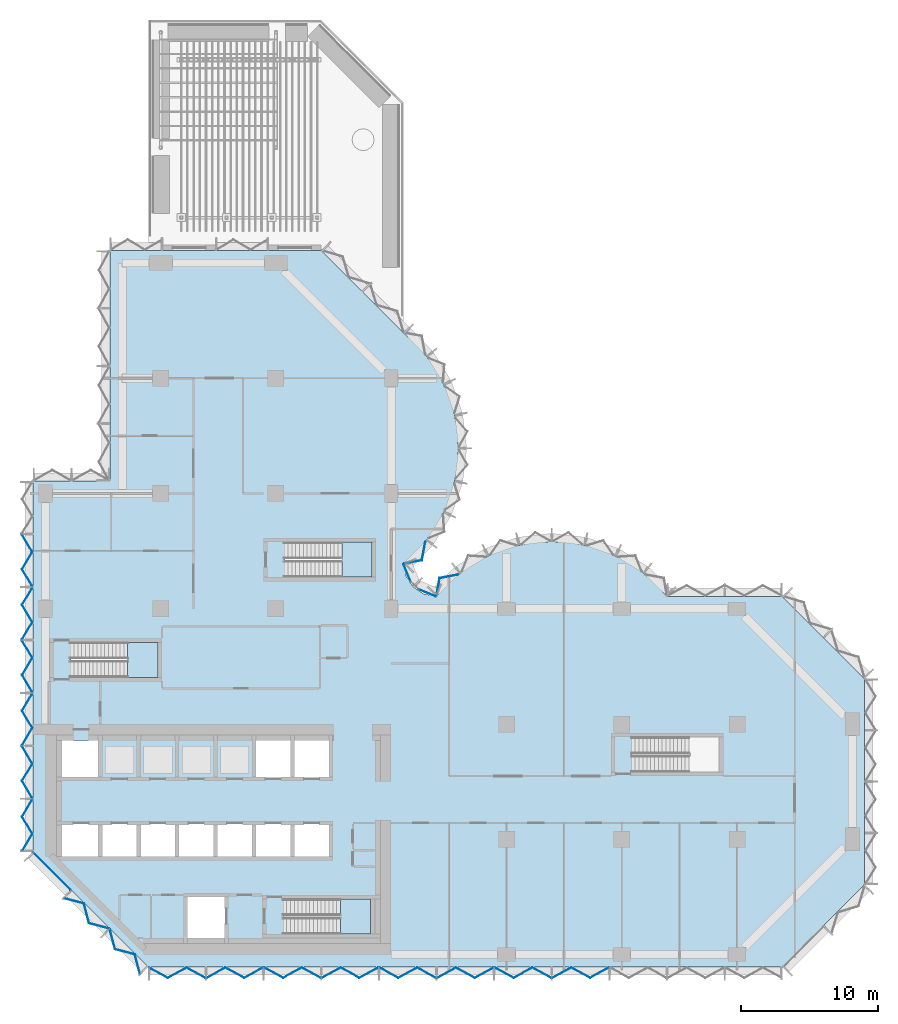
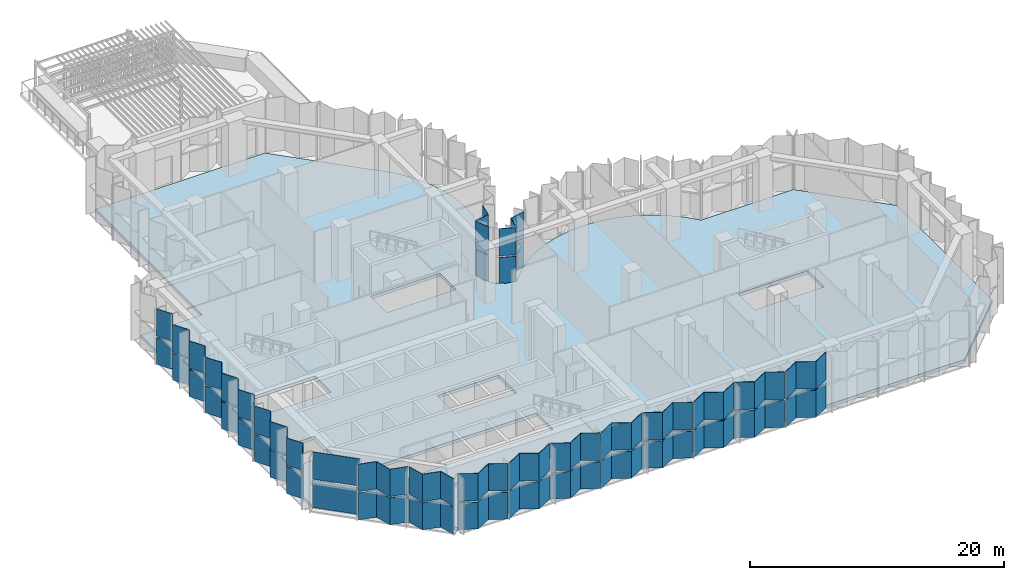
# One storey, part 5 of 15: 42 plates, 4 slabs, 9 elements without a shape of their own.
"""IFC4 building model written with IfcOpenShell, lengths in metres."""

from ifc_helpers import new_model, si_unit, direction, frame, origin, place, context, subcontext, project, spatial, polyline, outline, extrude, material, layer, layer_set, type_object, element, aggregate, save


model = new_model("IFC4")

# Units and contexts
model_context = context("Model", 3, precision=1e-05, world=origin(), true_north=direction((0.0, 1.0)))
body_context = subcontext(model_context, "Body", "Model", "MODEL_VIEW")
ifc_project = project(units=[si_unit("LENGTHUNIT", "METRE"), si_unit("AREAUNIT", "SQUARE_METRE"), si_unit("VOLUMEUNIT", "CUBIC_METRE"), si_unit("PLANEANGLEUNIT", "RADIAN"), si_unit("MASSUNIT", "GRAM", prefix="KILO")], contexts=[model_context])

# Site, building, storey
site_placement = place(None, origin())
site = spatial("IfcSite", under=ifc_project, at=site_placement, CompositionType="ELEMENT")
building_placement = place(site_placement, origin())
building = spatial("IfcBuilding", under=site, at=building_placement, Name="Brevane Broadcast Tower", CompositionType="ELEMENT")
storey_placement = place(building_placement, frame((0.0, 0.0, 156.5)))
storey = spatial("IfcBuildingStorey", under=building, at=storey_placement, Name="L39", CompositionType="ELEMENT", Elevation=156.5)

# Curtain wall, plates
ifc_material_1 = material(Name="Aluminium 6063-T6 bronze anodised", Category="aluminium")
curtain_wall_type = type_object("IfcCurtainWallType", Name="CW-4 curtain wall", PredefinedType="NOTDEFINED", material=ifc_material_1)
curtain_wall_1_placement = place(storey_placement, origin())
curtain_wall_1 = element("IfcCurtainWall", 1, at=curtain_wall_1_placement, inside=storey, type_object=curtain_wall_type, Name="CW-4 sky lobby unit L39 south face", PredefinedType="NOTDEFINED")
ifc_material_2 = material(Name="Laminated glass bronze-tinted", Category="glass")
ifc_layer_1 = layer(ifc_material_2, 0.0400390625)
ifc_layer_set_1 = layer_set([ifc_layer_1], Name="CW glass panel 40")
plate_type = type_object("IfcPlateType", Name="CW glass panel 40", PredefinedType="CURTAIN_PANEL", material=ifc_layer_set_1)
plate_1_placement = place(storey_placement, frame((0.0, 0.0, -0.159912109375)))
plate_1 = element("IfcPlate", 2, at=plate_1_placement, type_object=plate_type, Name="CW-4 glass panel", PredefinedType="CURTAIN_PANEL", context=body_context, shape_type="SweptSolid", body=[
    extrude(outline(polyline([(7.550048828125, -0.92724609375), (7.550048828125, -0.972900390625), (8.916748046875, -1.71728515625), (10.283203125, -0.972900390625), (11.64990234375, -1.71728515625), (11.64990234375, -1.671630859375), (10.283203125, -0.92724609375), (8.916748046875, -1.671630859375), (7.550048828125, -0.92724609375)])), origin(), (0.0, 0.0, 1.0), 2.58984375),
])
plate_2_placement = place(storey_placement, frame((0.0, 0.0, 2.570068359375)))
plate_2 = element("IfcPlate", 3, at=plate_2_placement, type_object=plate_type, Name="CW-4 glass panel", PredefinedType="CURTAIN_PANEL", context=body_context, shape_type="SweptSolid", body=[
    extrude(outline(polyline([(7.550048828125, -0.92724609375), (7.550048828125, -0.972900390625), (8.916748046875, -1.71728515625), (10.283203125, -0.972900390625), (11.64990234375, -1.71728515625), (11.64990234375, -1.671630859375), (10.283203125, -0.92724609375), (8.916748046875, -1.671630859375), (7.550048828125, -0.92724609375)])), origin(), (0.0, 0.0, 1.0), 2.6298828125),
])
plate_3_placement = place(storey_placement, frame((0.0, 0.0, -0.159912109375)))
plate_3 = element("IfcPlate", 4, at=plate_3_placement, type_object=plate_type, Name="CW-4 glass panel", PredefinedType="CURTAIN_PANEL", context=body_context, shape_type="SweptSolid", body=[
    extrude(outline(polyline([(11.75, -1.671630859375), (11.75, -1.71728515625), (13.11669921875, -0.972900390625), (14.4833984375, -1.71728515625), (15.85009765625, -0.972900390625), (15.85009765625, -0.92724609375), (14.4833984375, -1.671630859375), (13.11669921875, -0.92724609375), (11.75, -1.671630859375)])), origin(), (0.0, 0.0, 1.0), 2.58984375),
])
plate_4_placement = place(storey_placement, frame((0.0, 0.0, 2.570068359375)))
plate_4 = element("IfcPlate", 5, at=plate_4_placement, type_object=plate_type, Name="CW-4 glass panel", PredefinedType="CURTAIN_PANEL", context=body_context, shape_type="SweptSolid", body=[
    extrude(outline(polyline([(11.75, -1.671630859375), (11.75, -1.71728515625), (13.11669921875, -0.972900390625), (14.4833984375, -1.71728515625), (15.85009765625, -0.972900390625), (15.85009765625, -0.92724609375), (14.4833984375, -1.671630859375), (13.11669921875, -0.92724609375), (11.75, -1.671630859375)])), origin(), (0.0, 0.0, 1.0), 2.6298828125),
])
plate_5_placement = place(storey_placement, frame((0.0, 0.0, -0.159912109375)))
plate_5 = element("IfcPlate", 6, at=plate_5_placement, type_object=plate_type, Name="CW-4 glass panel", PredefinedType="CURTAIN_PANEL", context=body_context, shape_type="SweptSolid", body=[
    extrude(outline(polyline([(15.949951171875, -0.92724609375), (15.949951171875, -0.972900390625), (17.316650390625, -1.71728515625), (18.683349609375, -0.972900390625), (20.050048828125, -1.71728515625), (20.050048828125, -1.671630859375), (18.683349609375, -0.92724609375), (17.316650390625, -1.671630859375), (15.949951171875, -0.92724609375)])), origin(), (0.0, 0.0, 1.0), 2.58984375),
])
plate_6_placement = place(storey_placement, frame((0.0, 0.0, 2.570068359375)))
plate_6 = element("IfcPlate", 7, at=plate_6_placement, type_object=plate_type, Name="CW-4 glass panel", PredefinedType="CURTAIN_PANEL", context=body_context, shape_type="SweptSolid", body=[
    extrude(outline(polyline([(15.949951171875, -0.92724609375), (15.949951171875, -0.972900390625), (17.316650390625, -1.71728515625), (18.683349609375, -0.972900390625), (20.050048828125, -1.71728515625), (20.050048828125, -1.671630859375), (18.683349609375, -0.92724609375), (17.316650390625, -1.671630859375), (15.949951171875, -0.92724609375)])), origin(), (0.0, 0.0, 1.0), 2.6298828125),
])
plate_7_placement = place(storey_placement, frame((0.0, 0.0, -0.159912109375)))
plate_7 = element("IfcPlate", 8, at=plate_7_placement, type_object=plate_type, Name="CW-4 glass panel", PredefinedType="CURTAIN_PANEL", context=body_context, shape_type="SweptSolid", body=[
    extrude(outline(polyline([(20.14990234375, -1.671630859375), (20.14990234375, -1.71728515625), (21.5166015625, -0.972900390625), (22.88330078125, -1.71728515625), (24.25, -0.972900390625), (24.25, -0.92724609375), (22.88330078125, -1.671630859375), (21.5166015625, -0.92724609375), (20.14990234375, -1.671630859375)])), origin(), (0.0, 0.0, 1.0), 2.58984375),
])
plate_8_placement = place(storey_placement, frame((0.0, 0.0, 2.570068359375)))
plate_8 = element("IfcPlate", 9, at=plate_8_placement, type_object=plate_type, Name="CW-4 glass panel", PredefinedType="CURTAIN_PANEL", context=body_context, shape_type="SweptSolid", body=[
    extrude(outline(polyline([(20.14990234375, -1.671630859375), (20.14990234375, -1.71728515625), (21.5166015625, -0.972900390625), (22.88330078125, -1.71728515625), (24.25, -0.972900390625), (24.25, -0.92724609375), (22.88330078125, -1.671630859375), (21.5166015625, -0.92724609375), (20.14990234375, -1.671630859375)])), origin(), (0.0, 0.0, 1.0), 2.6298828125),
])
plate_9_placement = place(storey_placement, frame((0.0, 0.0, -0.159912109375)))
plate_9 = element("IfcPlate", 10, at=plate_9_placement, type_object=plate_type, Name="CW-4 glass panel", PredefinedType="CURTAIN_PANEL", context=body_context, shape_type="SweptSolid", body=[
    extrude(outline(polyline([(24.35009765625, -0.92724609375), (24.35009765625, -0.972900390625), (25.716796875, -1.71728515625), (27.083251953125, -0.972900390625), (28.449951171875, -1.71728515625), (28.449951171875, -1.671630859375), (27.083251953125, -0.92724609375), (25.716796875, -1.671630859375), (24.35009765625, -0.92724609375)])), origin(), (0.0, 0.0, 1.0), 2.58984375),
])
plate_10_placement = place(storey_placement, frame((0.0, 0.0, 2.570068359375)))
plate_10 = element("IfcPlate", 11, at=plate_10_placement, type_object=plate_type, Name="CW-4 glass panel", PredefinedType="CURTAIN_PANEL", context=body_context, shape_type="SweptSolid", body=[
    extrude(outline(polyline([(24.35009765625, -0.92724609375), (24.35009765625, -0.972900390625), (25.716796875, -1.71728515625), (27.083251953125, -0.972900390625), (28.449951171875, -1.71728515625), (28.449951171875, -1.671630859375), (27.083251953125, -0.92724609375), (25.716796875, -1.671630859375), (24.35009765625, -0.92724609375)])), origin(), (0.0, 0.0, 1.0), 2.6298828125),
])
plate_11_placement = place(storey_placement, frame((0.0, 0.0, -0.159912109375)))
plate_11 = element("IfcPlate", 12, at=plate_11_placement, type_object=plate_type, Name="CW-4 glass panel", PredefinedType="CURTAIN_PANEL", context=body_context, shape_type="SweptSolid", body=[
    extrude(outline(polyline([(28.550048828125, -1.671630859375), (28.550048828125, -1.71728515625), (29.916748046875, -0.972900390625), (31.283203125, -1.71728515625), (32.64990234375, -0.972900390625), (32.64990234375, -0.92724609375), (31.283203125, -1.671630859375), (29.916748046875, -0.92724609375), (28.550048828125, -1.671630859375)])), origin(), (0.0, 0.0, 1.0), 2.58984375),
])
plate_12_placement = place(storey_placement, frame((0.0, 0.0, 2.570068359375)))
plate_12 = element("IfcPlate", 13, at=plate_12_placement, type_object=plate_type, Name="CW-4 glass panel", PredefinedType="CURTAIN_PANEL", context=body_context, shape_type="SweptSolid", body=[
    extrude(outline(polyline([(28.550048828125, -1.671630859375), (28.550048828125, -1.71728515625), (29.916748046875, -0.972900390625), (31.283203125, -1.71728515625), (32.64990234375, -0.972900390625), (32.64990234375, -0.92724609375), (31.283203125, -1.671630859375), (29.916748046875, -0.92724609375), (28.550048828125, -1.671630859375)])), origin(), (0.0, 0.0, 1.0), 2.6298828125),
])
plate_13_placement = place(storey_placement, frame((0.0, 0.0, -0.159912109375)))
plate_13 = element("IfcPlate", 14, at=plate_13_placement, type_object=plate_type, Name="CW-4 glass panel", PredefinedType="CURTAIN_PANEL", context=body_context, shape_type="SweptSolid", body=[
    extrude(outline(polyline([(32.75, -0.92724609375), (32.75, -0.972900390625), (34.11669921875, -1.71728515625), (35.4833984375, -0.972900390625), (36.85009765625, -1.71728515625), (36.85009765625, -1.671630859375), (35.4833984375, -0.92724609375), (34.11669921875, -1.671630859375), (32.75, -0.92724609375)])), origin(), (0.0, 0.0, 1.0), 2.58984375),
])
plate_14_placement = place(storey_placement, frame((0.0, 0.0, 2.570068359375)))
plate_14 = element("IfcPlate", 15, at=plate_14_placement, type_object=plate_type, Name="CW-4 glass panel", PredefinedType="CURTAIN_PANEL", context=body_context, shape_type="SweptSolid", body=[
    extrude(outline(polyline([(32.75, -0.92724609375), (32.75, -0.972900390625), (34.11669921875, -1.71728515625), (35.4833984375, -0.972900390625), (36.85009765625, -1.71728515625), (36.85009765625, -1.671630859375), (35.4833984375, -0.92724609375), (34.11669921875, -1.671630859375), (32.75, -0.92724609375)])), origin(), (0.0, 0.0, 1.0), 2.6298828125),
])
plate_15_placement = place(storey_placement, frame((0.0, 0.0, -0.159912109375)))
plate_15 = element("IfcPlate", 16, at=plate_15_placement, type_object=plate_type, Name="CW-4 glass panel", PredefinedType="CURTAIN_PANEL", context=body_context, shape_type="SweptSolid", body=[
    extrude(outline(polyline([(36.949951171875, -1.671630859375), (36.949951171875, -1.71728515625), (38.316650390625, -0.972900390625), (39.683349609375, -1.71728515625), (41.050048828125, -0.972900390625), (41.050048828125, -0.92724609375), (39.683349609375, -1.671630859375), (38.316650390625, -0.92724609375), (36.949951171875, -1.671630859375)])), origin(), (0.0, 0.0, 1.0), 2.58984375),
])
plate_16_placement = place(storey_placement, frame((0.0, 0.0, 2.570068359375)))
plate_16 = element("IfcPlate", 17, at=plate_16_placement, type_object=plate_type, Name="CW-4 glass panel", PredefinedType="CURTAIN_PANEL", context=body_context, shape_type="SweptSolid", body=[
    extrude(outline(polyline([(36.949951171875, -1.671630859375), (36.949951171875, -1.71728515625), (38.316650390625, -0.972900390625), (39.683349609375, -1.71728515625), (41.050048828125, -0.972900390625), (41.050048828125, -0.92724609375), (39.683349609375, -1.671630859375), (38.316650390625, -0.92724609375), (36.949951171875, -1.671630859375)])), origin(), (0.0, 0.0, 1.0), 2.6298828125),
])
aggregate(curtain_wall_1, [plate_1, plate_2, plate_3, plate_4, plate_5, plate_6, plate_7, plate_8, plate_9, plate_10, plate_11, plate_12, plate_13, plate_14, plate_15, plate_16])

curtain_wall_2_placement = place(storey_placement, origin())
curtain_wall_2 = element("IfcCurtainWall", 18, at=curtain_wall_2_placement, inside=storey, type_object=curtain_wall_type, Name="CW-4 sky lobby unit L39 east bow", PredefinedType="NOTDEFINED")
plate_17_placement = place(storey_placement, frame((0.0, 0.0, -0.159912109375)))
plate_17 = element("IfcPlate", 19, at=plate_17_placement, type_object=plate_type, Name="CW-4 glass panel", PredefinedType="CURTAIN_PANEL", context=body_context, shape_type="SweptSolid", body=[
    extrude(outline(polyline([(30.078125, 27.66552734375), (30.050537109375, 27.701171875), (28.713623046875, 27.447265625), (28.482666015625, 26.189697265625), (28.516845703125, 26.154296875), (28.748046875, 27.4130859375), (30.078125, 27.66552734375)])), origin(), (0.0, 0.0, 1.0), 2.58984375),
])
plate_18_placement = place(storey_placement, frame((0.0, 0.0, 2.570068359375)))
plate_18 = element("IfcPlate", 20, at=plate_18_placement, type_object=plate_type, Name="CW-4 glass panel", PredefinedType="CURTAIN_PANEL", context=body_context, shape_type="SweptSolid", body=[
    extrude(outline(polyline([(30.078125, 27.66552734375), (30.050537109375, 27.701171875), (28.713623046875, 27.447265625), (28.482666015625, 26.189697265625), (28.516845703125, 26.154296875), (28.748046875, 27.4130859375), (30.078125, 27.66552734375)])), origin(), (0.0, 0.0, 1.0), 2.6298828125),
])
aggregate(curtain_wall_2, [plate_17, plate_18])

curtain_wall_3_placement = place(storey_placement, origin())
curtain_wall_3 = element("IfcCurtainWall", 21, at=curtain_wall_3_placement, inside=storey, type_object=curtain_wall_type, Name="CW-4 sky lobby unit L39 inner corner", PredefinedType="NOTDEFINED")
plate_19_placement = place(storey_placement, frame((0.0, 0.0, -0.159912109375)))
plate_19 = element("IfcPlate", 22, at=plate_19_placement, type_object=plate_type, Name="CW-4 glass panel", PredefinedType="CURTAIN_PANEL", context=body_context, shape_type="SweptSolid", body=[
    extrude(outline(polyline([(28.437744140625, 26.080322265625), (28.453125, 26.1171875), (27.217041015625, 26.62939453125), (27.1865234375, 26.5986328125), (28.437744140625, 26.080322265625)])), origin(), (0.0, 0.0, 1.0), 2.58984375),
])
plate_20_placement = place(storey_placement, frame((0.0, 0.0, 2.570068359375)))
plate_20 = element("IfcPlate", 23, at=plate_20_placement, type_object=plate_type, Name="CW-4 glass panel", PredefinedType="CURTAIN_PANEL", context=body_context, shape_type="SweptSolid", body=[
    extrude(outline(polyline([(28.437744140625, 26.080322265625), (28.453125, 26.1171875), (27.217041015625, 26.62939453125), (27.1865234375, 26.5986328125), (28.437744140625, 26.080322265625)])), origin(), (0.0, 0.0, 1.0), 2.6298828125),
])
plate_21_placement = place(storey_placement, frame((0.0, 0.0, -0.159912109375)))
plate_21 = element("IfcPlate", 24, at=plate_21_placement, type_object=plate_type, Name="CW-4 glass panel", PredefinedType="CURTAIN_PANEL", context=body_context, shape_type="SweptSolid", body=[
    extrude(outline(polyline([(26.5986328125, 27.1865234375), (26.62939453125, 27.217041015625), (26.1171875, 28.453125), (26.080322265625, 28.437744140625), (26.5986328125, 27.1865234375)])), origin(), (0.0, 0.0, 1.0), 2.58984375),
])
plate_22_placement = place(storey_placement, frame((0.0, 0.0, 2.570068359375)))
plate_22 = element("IfcPlate", 25, at=plate_22_placement, type_object=plate_type, Name="CW-4 glass panel", PredefinedType="CURTAIN_PANEL", context=body_context, shape_type="SweptSolid", body=[
    extrude(outline(polyline([(26.5986328125, 27.1865234375), (26.62939453125, 27.217041015625), (26.1171875, 28.453125), (26.080322265625, 28.437744140625), (26.5986328125, 27.1865234375)])), origin(), (0.0, 0.0, 1.0), 2.6298828125),
])
aggregate(curtain_wall_3, [plate_19, plate_20, plate_21, plate_22])

curtain_wall_4_placement = place(storey_placement, origin())
curtain_wall_4 = element("IfcCurtainWall", 26, at=curtain_wall_4_placement, inside=storey, type_object=curtain_wall_type, Name="CW-4 sky lobby unit L39 north bow", PredefinedType="NOTDEFINED")
plate_23_placement = place(storey_placement, frame((0.0, 0.0, -0.159912109375)))
plate_23 = element("IfcPlate", 27, at=plate_23_placement, type_object=plate_type, Name="CW-4 glass panel", PredefinedType="CURTAIN_PANEL", context=body_context, shape_type="SweptSolid", body=[
    extrude(outline(polyline([(26.154296875, 28.516845703125), (26.189697265625, 28.482666015625), (27.447265625, 28.713623046875), (27.701171875, 30.050537109375), (27.66552734375, 30.078125), (27.4130859375, 28.748046875), (26.154296875, 28.516845703125)])), origin(), (0.0, 0.0, 1.0), 2.58984375),
])
plate_24_placement = place(storey_placement, frame((0.0, 0.0, 2.570068359375)))
plate_24 = element("IfcPlate", 28, at=plate_24_placement, type_object=plate_type, Name="CW-4 glass panel", PredefinedType="CURTAIN_PANEL", context=body_context, shape_type="SweptSolid", body=[
    extrude(outline(polyline([(26.154296875, 28.516845703125), (26.189697265625, 28.482666015625), (27.447265625, 28.713623046875), (27.701171875, 30.050537109375), (27.66552734375, 30.078125), (27.4130859375, 28.748046875), (26.154296875, 28.516845703125)])), origin(), (0.0, 0.0, 1.0), 2.6298828125),
])
aggregate(curtain_wall_4, [plate_23, plate_24])

curtain_wall_5_placement = place(storey_placement, origin())
curtain_wall_5 = element("IfcCurtainWall", 29, at=curtain_wall_5_placement, inside=storey, type_object=curtain_wall_type, Name="CW-4 sky lobby unit L39 west face", PredefinedType="NOTDEFINED")
plate_25_placement = place(storey_placement, frame((0.0, 0.0, -0.159912109375)))
plate_25 = element("IfcPlate", 30, at=plate_25_placement, type_object=plate_type, Name="CW-4 glass panel", PredefinedType="CURTAIN_PANEL", context=body_context, shape_type="SweptSolid", body=[
    extrude(outline(polyline([(-1.671142578125, 30.593017578125), (-1.7177734375, 30.593017578125), (-0.973388671875, 29.340576171875), (-1.7177734375, 28.088134765625), (-0.973388671875, 26.835693359375), (-0.9267578125, 26.835693359375), (-1.671142578125, 28.088134765625), (-0.9267578125, 29.340576171875), (-1.671142578125, 30.593017578125)])), origin(), (0.0, 0.0, 1.0), 2.58984375),
])
plate_26_placement = place(storey_placement, frame((0.0, 0.0, 2.570068359375)))
plate_26 = element("IfcPlate", 31, at=plate_26_placement, type_object=plate_type, Name="CW-4 glass panel", PredefinedType="CURTAIN_PANEL", context=body_context, shape_type="SweptSolid", body=[
    extrude(outline(polyline([(-1.671142578125, 30.593017578125), (-1.7177734375, 30.593017578125), (-0.973388671875, 29.340576171875), (-1.7177734375, 28.088134765625), (-0.973388671875, 26.835693359375), (-0.9267578125, 26.835693359375), (-1.671142578125, 28.088134765625), (-0.9267578125, 29.340576171875), (-1.671142578125, 30.593017578125)])), origin(), (0.0, 0.0, 1.0), 2.6298828125),
])
plate_27_placement = place(storey_placement, frame((0.0, 0.0, -0.159912109375)))
plate_27 = element("IfcPlate", 32, at=plate_27_placement, type_object=plate_type, Name="CW-4 glass panel", PredefinedType="CURTAIN_PANEL", context=body_context, shape_type="SweptSolid", body=[
    extrude(outline(polyline([(-0.9267578125, 26.735595703125), (-0.973388671875, 26.735595703125), (-1.7177734375, 25.4833984375), (-0.973388671875, 24.23095703125), (-1.7177734375, 22.978515625), (-1.671142578125, 22.978515625), (-0.9267578125, 24.23095703125), (-1.671142578125, 25.4833984375), (-0.9267578125, 26.735595703125)])), origin(), (0.0, 0.0, 1.0), 2.58984375),
])
plate_28_placement = place(storey_placement, frame((0.0, 0.0, 2.570068359375)))
plate_28 = element("IfcPlate", 33, at=plate_28_placement, type_object=plate_type, Name="CW-4 glass panel", PredefinedType="CURTAIN_PANEL", context=body_context, shape_type="SweptSolid", body=[
    extrude(outline(polyline([(-0.9267578125, 26.735595703125), (-0.973388671875, 26.735595703125), (-1.7177734375, 25.4833984375), (-0.973388671875, 24.23095703125), (-1.7177734375, 22.978515625), (-1.671142578125, 22.978515625), (-0.9267578125, 24.23095703125), (-1.671142578125, 25.4833984375), (-0.9267578125, 26.735595703125)])), origin(), (0.0, 0.0, 1.0), 2.6298828125),
])
plate_29_placement = place(storey_placement, frame((0.0, 0.0, -0.159912109375)))
plate_29 = element("IfcPlate", 34, at=plate_29_placement, type_object=plate_type, Name="CW-4 glass panel", PredefinedType="CURTAIN_PANEL", context=body_context, shape_type="SweptSolid", body=[
    extrude(outline(polyline([(-1.671142578125, 22.878662109375), (-1.7177734375, 22.878662109375), (-0.973388671875, 21.626220703125), (-1.7177734375, 20.373779296875), (-0.973388671875, 19.121337890625), (-0.9267578125, 19.121337890625), (-1.671142578125, 20.373779296875), (-0.9267578125, 21.626220703125), (-1.671142578125, 22.878662109375)])), origin(), (0.0, 0.0, 1.0), 2.58984375),
])
plate_30_placement = place(storey_placement, frame((0.0, 0.0, 2.570068359375)))
plate_30 = element("IfcPlate", 35, at=plate_30_placement, type_object=plate_type, Name="CW-4 glass panel", PredefinedType="CURTAIN_PANEL", context=body_context, shape_type="SweptSolid", body=[
    extrude(outline(polyline([(-1.671142578125, 22.878662109375), (-1.7177734375, 22.878662109375), (-0.973388671875, 21.626220703125), (-1.7177734375, 20.373779296875), (-0.973388671875, 19.121337890625), (-0.9267578125, 19.121337890625), (-1.671142578125, 20.373779296875), (-0.9267578125, 21.626220703125), (-1.671142578125, 22.878662109375)])), origin(), (0.0, 0.0, 1.0), 2.6298828125),
])
plate_31_placement = place(storey_placement, frame((0.0, 0.0, -0.159912109375)))
plate_31 = element("IfcPlate", 36, at=plate_31_placement, type_object=plate_type, Name="CW-4 glass panel", PredefinedType="CURTAIN_PANEL", context=body_context, shape_type="SweptSolid", body=[
    extrude(outline(polyline([(-0.9267578125, 19.021484375), (-0.973388671875, 19.021484375), (-1.7177734375, 17.76904296875), (-0.973388671875, 16.5166015625), (-1.7177734375, 15.264404296875), (-1.671142578125, 15.264404296875), (-0.9267578125, 16.5166015625), (-1.671142578125, 17.76904296875), (-0.9267578125, 19.021484375)])), origin(), (0.0, 0.0, 1.0), 2.58984375),
])
plate_32_placement = place(storey_placement, frame((0.0, 0.0, 2.570068359375)))
plate_32 = element("IfcPlate", 37, at=plate_32_placement, type_object=plate_type, Name="CW-4 glass panel", PredefinedType="CURTAIN_PANEL", context=body_context, shape_type="SweptSolid", body=[
    extrude(outline(polyline([(-0.9267578125, 19.021484375), (-0.973388671875, 19.021484375), (-1.7177734375, 17.76904296875), (-0.973388671875, 16.5166015625), (-1.7177734375, 15.264404296875), (-1.671142578125, 15.264404296875), (-0.9267578125, 16.5166015625), (-1.671142578125, 17.76904296875), (-0.9267578125, 19.021484375)])), origin(), (0.0, 0.0, 1.0), 2.6298828125),
])
plate_33_placement = place(storey_placement, frame((0.0, 0.0, -0.159912109375)))
plate_33 = element("IfcPlate", 38, at=plate_33_placement, type_object=plate_type, Name="CW-4 glass panel", PredefinedType="CURTAIN_PANEL", context=body_context, shape_type="SweptSolid", body=[
    extrude(outline(polyline([(-1.671142578125, 15.164306640625), (-1.7177734375, 15.164306640625), (-0.973388671875, 13.911865234375), (-1.7177734375, 12.659423828125), (-0.973388671875, 11.406982421875), (-0.9267578125, 11.406982421875), (-1.671142578125, 12.659423828125), (-0.9267578125, 13.911865234375), (-1.671142578125, 15.164306640625)])), origin(), (0.0, 0.0, 1.0), 2.58984375),
])
plate_34_placement = place(storey_placement, frame((0.0, 0.0, 2.570068359375)))
plate_34 = element("IfcPlate", 39, at=plate_34_placement, type_object=plate_type, Name="CW-4 glass panel", PredefinedType="CURTAIN_PANEL", context=body_context, shape_type="SweptSolid", body=[
    extrude(outline(polyline([(-1.671142578125, 15.164306640625), (-1.7177734375, 15.164306640625), (-0.973388671875, 13.911865234375), (-1.7177734375, 12.659423828125), (-0.973388671875, 11.406982421875), (-0.9267578125, 11.406982421875), (-1.671142578125, 12.659423828125), (-0.9267578125, 13.911865234375), (-1.671142578125, 15.164306640625)])), origin(), (0.0, 0.0, 1.0), 2.6298828125),
])
plate_35_placement = place(storey_placement, frame((0.0, 0.0, -0.159912109375)))
plate_35 = element("IfcPlate", 40, at=plate_35_placement, type_object=plate_type, Name="CW-4 glass panel", PredefinedType="CURTAIN_PANEL", context=body_context, shape_type="SweptSolid", body=[
    extrude(outline(polyline([(-0.9267578125, 11.30712890625), (-0.973388671875, 11.30712890625), (-1.7177734375, 10.0546875), (-0.973388671875, 8.802490234375), (-1.7177734375, 7.550048828125), (-1.671142578125, 7.550048828125), (-0.9267578125, 8.802490234375), (-1.671142578125, 10.0546875), (-0.9267578125, 11.30712890625)])), origin(), (0.0, 0.0, 1.0), 2.58984375),
])
plate_36_placement = place(storey_placement, frame((0.0, 0.0, 2.570068359375)))
plate_36 = element("IfcPlate", 41, at=plate_36_placement, type_object=plate_type, Name="CW-4 glass panel", PredefinedType="CURTAIN_PANEL", context=body_context, shape_type="SweptSolid", body=[
    extrude(outline(polyline([(-0.9267578125, 11.30712890625), (-0.973388671875, 11.30712890625), (-1.7177734375, 10.0546875), (-0.973388671875, 8.802490234375), (-1.7177734375, 7.550048828125), (-1.671142578125, 7.550048828125), (-0.9267578125, 8.802490234375), (-1.671142578125, 10.0546875), (-0.9267578125, 11.30712890625)])), origin(), (0.0, 0.0, 1.0), 2.6298828125),
])
aggregate(curtain_wall_5, [plate_25, plate_26, plate_27, plate_28, plate_29, plate_30, plate_31, plate_32, plate_33, plate_34, plate_35, plate_36])

curtain_wall_6_placement = place(storey_placement, origin())
curtain_wall_6 = element("IfcCurtainWall", 42, at=curtain_wall_6_placement, inside=storey, type_object=curtain_wall_type, Name="CW-4 sky lobby unit L39 south-west chamfer", PredefinedType="NOTDEFINED")
plate_37_placement = place(storey_placement, frame((0.0, 0.0, -0.159912109375)))
plate_37 = element("IfcPlate", 43, at=plate_37_placement, type_object=plate_type, Name="CW-4 glass panel", PredefinedType="CURTAIN_PANEL", context=body_context, shape_type="SweptSolid", body=[
    extrude(outline(polyline([(-0.885986328125, 7.443359375), (1.843505859375, 4.714111328125), (1.815185546875, 4.685791015625), (-0.9140625, 7.4150390625), (-0.885986328125, 7.443359375)])), origin(), (0.0, 0.0, 1.0), 2.58984375),
])
plate_38_placement = place(storey_placement, frame((0.0, 0.0, 2.570068359375)))
plate_38 = element("IfcPlate", 44, at=plate_38_placement, type_object=plate_type, Name="CW-4 glass panel", PredefinedType="CURTAIN_PANEL", context=body_context, shape_type="SweptSolid", body=[
    extrude(outline(polyline([(-0.885986328125, 7.443359375), (1.843505859375, 4.714111328125), (1.815185546875, 4.685791015625), (-0.9140625, 7.4150390625), (-0.885986328125, 7.443359375)])), origin(), (0.0, 0.0, 1.0), 2.6298828125),
])
plate_39_placement = place(storey_placement, frame((0.0, 0.0, -0.159912109375)))
plate_39 = element("IfcPlate", 45, at=plate_39_placement, type_object=plate_type, Name="CW-4 glass panel", PredefinedType="CURTAIN_PANEL", context=body_context, shape_type="SweptSolid", body=[
    extrude(outline(polyline([(1.389892578125, 4.119384765625), (1.357421875, 4.086669921875), (2.79345703125, 3.703125), (3.1767578125, 2.26708984375), (4.613037109375, 1.8837890625), (4.6455078125, 1.916259765625), (3.20947265625, 2.2998046875), (2.826171875, 3.73583984375), (1.389892578125, 4.119384765625)])), origin(), (0.0, 0.0, 1.0), 2.58984375),
])
plate_40_placement = place(storey_placement, frame((0.0, 0.0, 2.570068359375)))
plate_40 = element("IfcPlate", 46, at=plate_40_placement, type_object=plate_type, Name="CW-4 glass panel", PredefinedType="CURTAIN_PANEL", context=body_context, shape_type="SweptSolid", body=[
    extrude(outline(polyline([(1.389892578125, 4.119384765625), (1.357421875, 4.086669921875), (2.79345703125, 3.703125), (3.1767578125, 2.26708984375), (4.613037109375, 1.8837890625), (4.6455078125, 1.916259765625), (3.20947265625, 2.2998046875), (2.826171875, 3.73583984375), (1.389892578125, 4.119384765625)])), origin(), (0.0, 0.0, 1.0), 2.6298828125),
])
plate_41_placement = place(storey_placement, frame((0.0, 0.0, -0.159912109375)))
plate_41 = element("IfcPlate", 47, at=plate_41_placement, type_object=plate_type, Name="CW-4 glass panel", PredefinedType="CURTAIN_PANEL", context=body_context, shape_type="SweptSolid", body=[
    extrude(outline(polyline([(4.71630859375, 1.845703125), (4.68359375, 1.81298828125), (5.067138671875, 0.376708984375), (6.503173828125, -0.006591796875), (6.88671875, -1.442626953125), (6.919189453125, -1.409912109375), (6.535888671875, 0.026123046875), (5.099609375, 0.409423828125), (4.71630859375, 1.845703125)])), origin(), (0.0, 0.0, 1.0), 2.58984375),
])
plate_42_placement = place(storey_placement, frame((0.0, 0.0, 2.570068359375)))
plate_42 = element("IfcPlate", 48, at=plate_42_placement, type_object=plate_type, Name="CW-4 glass panel", PredefinedType="CURTAIN_PANEL", context=body_context, shape_type="SweptSolid", body=[
    extrude(outline(polyline([(4.71630859375, 1.845703125), (4.68359375, 1.81298828125), (5.067138671875, 0.376708984375), (6.503173828125, -0.006591796875), (6.88671875, -1.442626953125), (6.919189453125, -1.409912109375), (6.535888671875, 0.026123046875), (5.099609375, 0.409423828125), (4.71630859375, 1.845703125)])), origin(), (0.0, 0.0, 1.0), 2.6298828125),
])
aggregate(curtain_wall_6, [plate_37, plate_38, plate_39, plate_40, plate_41, plate_42])

# Stair, slab
ifc_material_3 = material(Name="Concrete C50/60", Category="concrete")
stair_type = type_object("IfcStairType", Name="Exit stair 32 risers", PredefinedType="HALF_TURN_STAIR", material=ifc_material_3)
stair_1_placement = place(storey_placement, origin())
stair_1 = element("IfcStair", 49, at=stair_1_placement, inside=storey, type_object=stair_type, Name="L39 Exit stair ST-1", PredefinedType="HALF_TURN_STAIR")
ifc_layer_2 = layer(ifc_material_3, 0.199951171875)
ifc_layer_set_2 = layer_set([ifc_layer_2], Name="Exit stair landing")
slab_type_1 = type_object("IfcSlabType", Name="Exit stair landing", PredefinedType="LANDING", material=ifc_layer_set_2)
slab_1_placement = place(storey_placement, frame((0.0, 0.0, 2.550048828125)))
slab_1 = element("IfcSlab", 50, at=slab_1_placement, type_object=slab_type_1, Name="ST-1 landing 1", PredefinedType="LANDING", context=body_context, shape_type="SweptSolid", body=[
    extrude(outline(polyline([(6.0, 20.199951171875), (8.199951171875, 20.199951171875), (8.199951171875, 22.75), (6.0, 22.75), (6.0, 20.199951171875)])), origin(), (0.0, 0.0, 1.0), 0.199951171875),
])
aggregate(stair_1, [slab_1])

stair_2_placement = place(storey_placement, origin())
stair_2 = element("IfcStair", 51, at=stair_2_placement, inside=storey, type_object=stair_type, Name="L39 Exit stair ST-2", PredefinedType="HALF_TURN_STAIR")
slab_2_placement = place(storey_placement, frame((0.0, 0.0, 2.550048828125)))
slab_2 = element("IfcSlab", 52, at=slab_2_placement, type_object=slab_type_1, Name="ST-2 landing 1", PredefinedType="LANDING", context=body_context, shape_type="SweptSolid", body=[
    extrude(outline(polyline([(21.5, 1.5), (23.699951171875, 1.5), (23.699951171875, 4.050048828125), (21.5, 4.050048828125), (21.5, 1.5)])), origin(), (0.0, 0.0, 1.0), 0.199951171875),
])
aggregate(stair_2, [slab_2])

stair_3_placement = place(storey_placement, origin())
stair_3 = element("IfcStair", 53, at=stair_3_placement, inside=storey, type_object=stair_type, Name="L39 Exit stair ST-3", PredefinedType="HALF_TURN_STAIR")
slab_3_placement = place(storey_placement, frame((0.0, 0.0, 2.550048828125)))
slab_3 = element("IfcSlab", 54, at=slab_3_placement, type_object=slab_type_1, Name="ST-3 landing 1", PredefinedType="LANDING", context=body_context, shape_type="SweptSolid", body=[
    extrude(outline(polyline([(21.60009765625, 27.5), (23.800048828125, 27.5), (23.800048828125, 30.050048828125), (21.60009765625, 30.050048828125), (21.60009765625, 27.5)])), origin(), (0.0, 0.0, 1.0), 0.199951171875),
])
aggregate(stair_3, [slab_3])

# Slab
ifc_material_4 = material(Name="Concrete C40/50", Category="concrete")
ifc_layer_3 = layer(ifc_material_4, 0.300048828125)
ifc_layer_set_3 = layer_set([ifc_layer_3], Name="RC FLOOR SLAB 300 C40/50")
slab_type_2 = type_object("IfcSlabType", Name="RC FLOOR SLAB 300 C40/50", PredefinedType="FLOOR", material=ifc_layer_set_3)
slab_4_placement = place(storey_placement, frame((0.0, 0.0, -0.300048828125)))
element("IfcSlab", 55, at=slab_4_placement, inside=storey, type_object=slab_type_2, Name="SL300 L39", PredefinedType="FLOOR", context=body_context, shape_type="SweptSolid", body=[
    extrude(outline(polyline([(-0.89990234375, 7.5), (-0.89990234375, 34.5), (4.699951171875, 34.5), (4.699951171875, 51.300048828125), (20.10009765625, 51.300048828125), (26.10009765625, 45.300048828125), (27.10888671875, 44.36865234375), (27.99169921875, 43.317138671875), (28.734130859375, 42.162353515625), (29.324462890625, 40.922607421875), (29.7529296875, 39.618408203125), (30.012939453125, 38.270263671875), (30.10009765625, 36.89990234375), (30.012939453125, 35.52978515625), (29.7529296875, 34.181640625), (29.324462890625, 32.877197265625), (28.734130859375, 31.6376953125), (27.99169921875, 30.48291015625), (27.10888671875, 29.431396484375), (26.10009765625, 28.5), (26.28271484375, 27.58154296875), (26.802978515625, 26.802978515625), (27.58154296875, 26.28271484375), (28.5, 26.10009765625), (29.431396484375, 27.10888671875), (30.48291015625, 27.99169921875), (31.6376953125, 28.734130859375), (32.877197265625, 29.324462890625), (34.181640625, 29.7529296875), (35.52978515625, 30.012939453125), (36.89990234375, 30.10009765625), (38.270263671875, 30.012939453125), (39.618408203125, 29.7529296875), (40.922607421875, 29.324462890625), (42.162353515625, 28.734130859375), (43.317138671875, 27.99169921875), (44.36865234375, 27.10888671875), (45.300048828125, 26.10009765625), (53.699951171875, 26.10009765625), (59.699951171875, 20.10009765625), (59.699951171875, 5.10009765625), (53.699951171875, -0.89990234375), (7.5, -0.89990234375), (-0.89990234375, 7.5)]), holes=[polyline([(13.199951171875, 4.39990234375), (10.199951171875, 4.39990234375), (10.199951171875, 1.199951171875), (13.199951171875, 1.199951171875), (13.199951171875, 4.39990234375)]), polyline([(4.0, 9.60009765625), (1.199951171875, 9.60009765625), (1.199951171875, 7.0), (4.0, 7.0), (6.800048828125, 7.0), (9.60009765625, 7.0), (12.39990234375, 7.0), (15.199951171875, 7.0), (18.0, 7.0), (20.800048828125, 7.0), (20.800048828125, 9.60009765625), (18.0, 9.60009765625), (15.199951171875, 9.60009765625), (12.39990234375, 9.60009765625), (9.60009765625, 9.60009765625), (6.800048828125, 9.60009765625), (4.0, 9.60009765625)]), polyline([(4.0, 12.800048828125), (4.0, 15.60009765625), (1.199951171875, 15.60009765625), (1.199951171875, 12.800048828125), (4.0, 12.800048828125)]), polyline([(8.199951171875, 22.75), (1.860107421875, 22.75), (1.860107421875, 20.199951171875), (8.199951171875, 20.199951171875), (8.199951171875, 22.75)]), polyline([(23.699951171875, 4.050048828125), (17.360107421875, 4.050048828125), (17.360107421875, 1.5), (23.699951171875, 1.5), (23.699951171875, 4.050048828125)]), polyline([(18.0, 15.60009765625), (15.199951171875, 15.60009765625), (15.199951171875, 12.800048828125), (18.0, 12.800048828125), (20.800048828125, 12.800048828125), (20.800048828125, 15.60009765625), (18.0, 15.60009765625)]), polyline([(49.10009765625, 15.85009765625), (42.760009765625, 15.85009765625), (42.760009765625, 13.300048828125), (49.10009765625, 13.300048828125), (49.10009765625, 15.85009765625)]), polyline([(23.800048828125, 30.050048828125), (17.4599609375, 30.050048828125), (17.4599609375, 27.5), (23.800048828125, 27.5), (23.800048828125, 30.050048828125)])]), origin(), (0.0, 0.0, 1.0), 0.300048828125),
])

save(model, "model.ifc")
